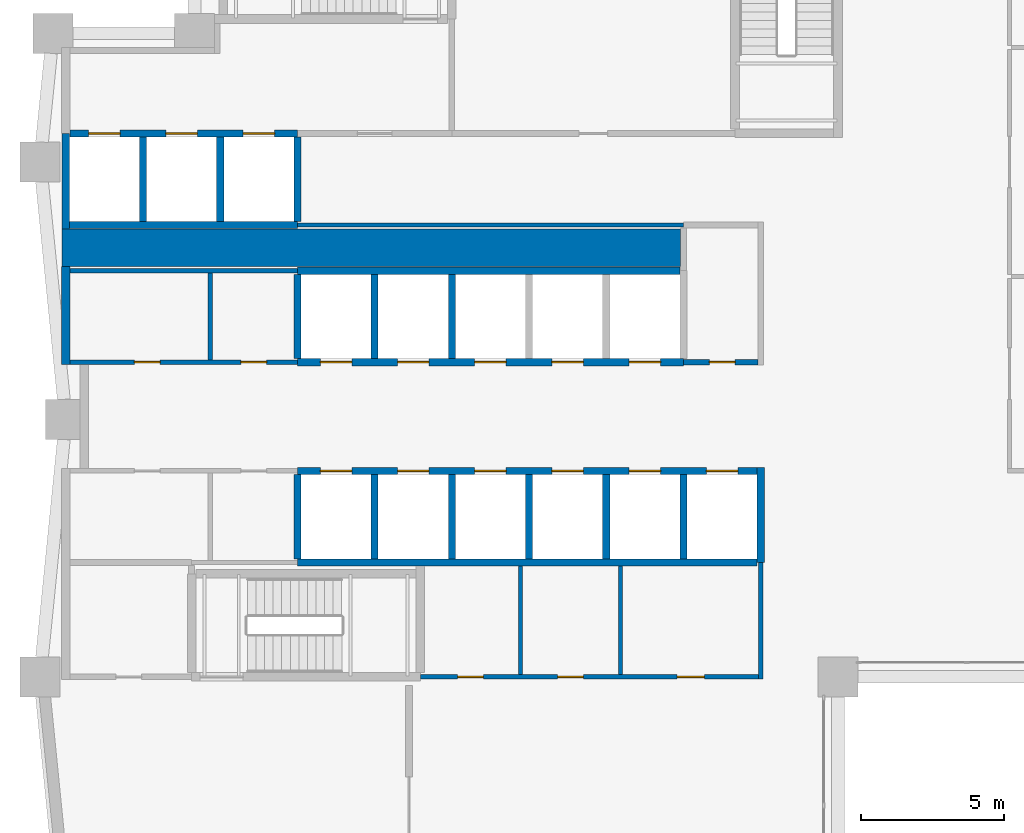
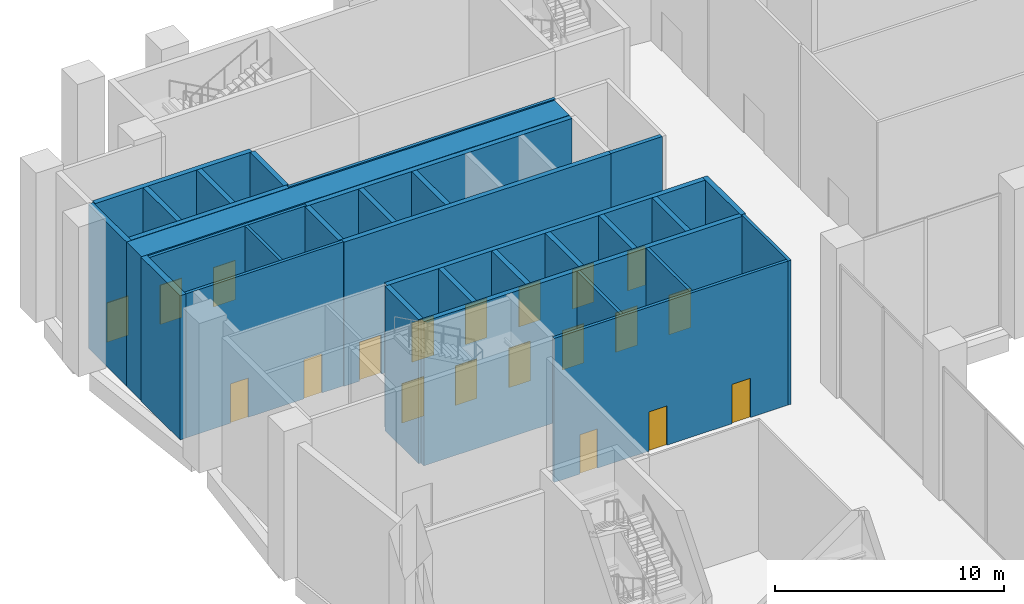
# One storey, part 11 of 19: 31 walls, 20 doors, 20 openings.
"""IFC4 building model written with IfcOpenShell, lengths in metres."""

from ifc_helpers import new_model, si_unit, direction, frame, frame_2d, origin, place, context, subcontext, project, spatial, rectangle, extrude, material, layer, layer_set, type_object, element, fill, save


model = new_model("IFC4")

# Units and contexts
model_context = context("Model", 3, precision=1e-05, world=origin(), true_north=direction((0.0, 1.0)))
body_context = subcontext(model_context, "Body", "Model", "MODEL_VIEW")
ifc_project = project(units=[si_unit("LENGTHUNIT", "METRE"), si_unit("AREAUNIT", "SQUARE_METRE"), si_unit("VOLUMEUNIT", "CUBIC_METRE"), si_unit("PLANEANGLEUNIT", "RADIAN"), si_unit("MASSUNIT", "GRAM", prefix="KILO")], contexts=[model_context])

# Site, building, storey
site_placement = place(None, origin())
site = spatial("IfcSite", under=ifc_project, at=site_placement, CompositionType="ELEMENT")
building_placement = place(site_placement, origin())
building = spatial("IfcBuilding", under=site, at=building_placement, Name="Brondeck Convention Tower", CompositionType="ELEMENT")
storey_placement = place(building_placement, frame((0.0, 0.0, 19.5)))
storey = spatial("IfcBuildingStorey", under=building, at=storey_placement, Name="L03", CompositionType="ELEMENT", Elevation=19.5)

# Wall, openings, doors
ifc_material_1 = material(Name="Concrete C80/95", Category="concrete")
ifc_layer_1 = layer(ifc_material_1, 0.14990234375)
ifc_layer_set_1 = layer_set([ifc_layer_1], Name="Core beam-seat wall 150 Concrete C80/95")
wall_type_1 = type_object("IfcWallType", Name="Core beam-seat wall 150 Concrete C80/95", PredefinedType="SHEAR", material=ifc_layer_set_1)
wall_1_placement = place(storey_placement, frame((12.39990234375, 36.0, 0.0), z_axis=(0.0, 0.0, 1.0), x_axis=(1.0, 0.0, 0.0)))
wall_1 = element("IfcWall", 1, at=wall_1_placement, inside=storey, type_object=wall_type_1, Name="L03 core wall", PredefinedType="SHEAR", context=body_context, shape_type="SweptSolid", body=[
    extrude(rectangle(XDim=11.8251953125, YDim=0.14990234375, at=frame_2d((5.91259765625, 0.0))), origin(), (0.0, 0.0, 1.0), 7.699951171875),
])
opening_1_placement = place(wall_1_placement, frame((1.300048828125, 0.0, 0.0)))
opening_1 = element("IfcOpeningElement", 2, at=opening_1_placement, cuts=wall_1, Name="Opening C05-03", PredefinedType="OPENING", context=body_context, shape_type="SweptSolid", body=[
    extrude(rectangle(XDim=0.89990234375, YDim=2.10009765625, at=frame_2d((0.449951171875, 1.050048828125))), frame((0.0, 0.0849609375, 0.0), z_axis=(0.0, -1.0, 0.0), x_axis=(1.0, 0.0, 0.0)), (0.0, 0.0, 1.0), 0.169921875),
])
opening_2_placement = place(wall_1_placement, frame((4.800048828125, 0.0, 0.0)))
opening_2 = element("IfcOpeningElement", 3, at=opening_2_placement, cuts=wall_1, Name="Opening C05-04", PredefinedType="OPENING", context=body_context, shape_type="SweptSolid", body=[
    extrude(rectangle(XDim=0.89990234375, YDim=2.10009765625, at=frame_2d((0.449951171875, 1.050048828125))), frame((0.0, 0.0849609375, 0.0), z_axis=(0.0, -1.0, 0.0), x_axis=(1.0, 0.0, 0.0)), (0.0, 0.0, 1.0), 0.169921875),
])
opening_3_placement = place(wall_1_placement, frame((8.97509765625, 0.0, 0.0)))
opening_3 = element("IfcOpeningElement", 4, at=opening_3_placement, cuts=wall_1, Name="Opening C05-05", PredefinedType="OPENING", context=body_context, shape_type="SweptSolid", body=[
    extrude(rectangle(XDim=0.949951171875, YDim=2.10009765625, at=frame_2d((0.47509765625, 1.050048828125))), frame((0.0, 0.0849609375, 0.0), z_axis=(0.0, -1.0, 0.0), x_axis=(1.0, 0.0, 0.0)), (0.0, 0.0, 1.0), 0.169921875),
])
ifc_material_2 = material(Name="Steel fire door", Category="steel")
door_type_1 = type_object("IfcDoorType", Name="Room door 900x2100 EI 60", OperationType="NOTDEFINED", PredefinedType="DOOR", material=ifc_material_2)
door_1_placement = place(opening_1_placement, origin())
door_1 = element("IfcDoor", 5, at=door_1_placement, inside=storey, type_object=door_type_1, Name="L03 Room door FR-1", OperationType="SINGLE_SWING_RIGHT", OverallHeight=2.10009765625, OverallWidth=0.89990234375, PredefinedType="DOOR", context=body_context, shape_type="SweptSolid", body=[
    extrude(rectangle(XDim=0.89990234375, YDim=2.10009765625, at=frame_2d((0.449951171875, 1.050048828125))), frame((0.0, 0.02490234375, 0.0), z_axis=(0.0, -1.0, 0.0), x_axis=(1.0, 0.0, 0.0)), (0.0, 0.0, 1.0), 0.050048828125),
])
fill(opening_1, door_1)
door_2_placement = place(opening_2_placement, origin())
door_2 = element("IfcDoor", 6, at=door_2_placement, inside=storey, type_object=door_type_1, Name="L03 Room door FR-2", OperationType="SINGLE_SWING_LEFT", OverallHeight=2.10009765625, OverallWidth=0.89990234375, PredefinedType="DOOR", context=body_context, shape_type="SweptSolid", body=[
    extrude(rectangle(XDim=0.89990234375, YDim=2.10009765625, at=frame_2d((0.449951171875, 1.050048828125))), frame((0.0, 0.02490234375, 0.0), z_axis=(0.0, -1.0, 0.0), x_axis=(1.0, 0.0, 0.0)), (0.0, 0.0, 1.0), 0.050048828125),
])
fill(opening_2, door_2)
door_type_2 = type_object("IfcDoorType", Name="Room door 950x2100 EI 60", OperationType="NOTDEFINED", PredefinedType="DOOR", material=ifc_material_2)
door_3_placement = place(opening_3_placement, origin())
door_3 = element("IfcDoor", 7, at=door_3_placement, inside=storey, type_object=door_type_2, Name="L03 Room door FR-3", OperationType="SINGLE_SWING_RIGHT", OverallHeight=2.10009765625, OverallWidth=0.949951171875, PredefinedType="DOOR", context=body_context, shape_type="SweptSolid", body=[
    extrude(rectangle(XDim=0.949951171875, YDim=2.10009765625, at=frame_2d((0.47509765625, 1.050048828125))), frame((0.0, 0.02490234375, 0.0), z_axis=(0.0, -1.0, 0.0), x_axis=(1.0, 0.0, 0.0)), (0.0, 0.0, 1.0), 0.050048828125),
])
fill(opening_3, door_3)

# Walls
wall_2_placement = place(storey_placement, frame((24.300048828125, 35.925048828125, 0.0), z_axis=(0.0, 0.0, 1.0), x_axis=(0.0, 1.0, 0.0)))
element("IfcWall", 8, at=wall_2_placement, inside=storey, type_object=wall_type_1, Name="L03 core wall", PredefinedType="SHEAR", context=body_context, shape_type="SweptSolid", body=[
    extrude(rectangle(XDim=4.074951171875, YDim=0.14990234375, at=frame_2d((2.03759765625, 0.0))), origin(), (0.0, 0.0, 1.0), 7.699951171875),
])
ifc_layer_2 = layer(ifc_material_1, 0.300048828125)
ifc_layer_set_2 = layer_set([ifc_layer_2], Name="Core outer wall 300 Concrete C80/95")
wall_type_2 = type_object("IfcWallType", Name="Core outer wall 300 Concrete C80/95", PredefinedType="SHEAR", material=ifc_layer_set_2)
wall_3_placement = place(storey_placement, frame((0.0, 46.925048828125, 0.0), z_axis=(0.0, 0.0, 1.0), x_axis=(0.0, 1.0, 0.0)))
element("IfcWall", 9, at=wall_3_placement, inside=storey, type_object=wall_type_2, Name="L03 core wall", PredefinedType="SHEAR", context=body_context, shape_type="SweptSolid", body=[
    extrude(rectangle(XDim=3.425048828125, YDim=0.300048828125, at=frame_2d((1.71240234375, 0.0))), origin(), (0.0, 0.0, 1.0), 7.699951171875),
])

# Wall, openings, doors
ifc_material_3 = material(Name="Fire-rated gypsum board partition")
ifc_layer_3 = layer(ifc_material_3, 0.14990234375)
ifc_layer_set_3 = layer_set([ifc_layer_3], Name="Core partition 150 EI 60")
wall_type_3 = type_object("IfcWallType", Name="Core partition 150 EI 60", PredefinedType="PARTITIONING", material=ifc_layer_set_3)
wall_4_placement = place(storey_placement, frame((0.14990234375, 47.0, 0.0), z_axis=(0.0, 0.0, 1.0), x_axis=(1.0, 0.0, 0.0)))
wall_4 = element("IfcWall", 10, at=wall_4_placement, inside=storey, type_object=wall_type_3, Name="L03 core wall", PredefinedType="PARTITIONING", context=body_context, shape_type="SweptSolid", body=[
    extrude(rectangle(XDim=7.9501953125, YDim=0.14990234375, at=frame_2d((3.97509765625, 0.0))), origin(), (0.0, 0.0, 1.0), 7.699951171875),
])
opening_4_placement = place(wall_4_placement, frame((2.25, 0.0, 0.0)))
opening_4 = element("IfcOpeningElement", 11, at=opening_4_placement, cuts=wall_4, Name="Opening C05-07", PredefinedType="OPENING", context=body_context, shape_type="SweptSolid", body=[
    extrude(rectangle(XDim=0.89990234375, YDim=2.10009765625, at=frame_2d((0.449951171875, 1.050048828125))), frame((0.0, 0.0849609375, 0.0), z_axis=(0.0, -1.0, 0.0), x_axis=(1.0, 0.0, 0.0)), (0.0, 0.0, 1.0), 0.169921875),
])
opening_5_placement = place(wall_4_placement, frame((5.97509765625, 0.0, 0.0)))
opening_5 = element("IfcOpeningElement", 12, at=opening_5_placement, cuts=wall_4, Name="Opening C05-08", PredefinedType="OPENING", context=body_context, shape_type="SweptSolid", body=[
    extrude(rectangle(XDim=0.89990234375, YDim=2.10009765625, at=frame_2d((0.449951171875, 1.050048828125))), frame((0.0, 0.0849609375, 0.0), z_axis=(0.0, -1.0, 0.0), x_axis=(1.0, 0.0, 0.0)), (0.0, 0.0, 1.0), 0.169921875),
])
door_4_placement = place(opening_4_placement, origin())
door_4 = element("IfcDoor", 13, at=door_4_placement, inside=storey, type_object=door_type_1, Name="L03 Room door FZ-N-0-1", OperationType="SINGLE_SWING_RIGHT", OverallHeight=2.10009765625, OverallWidth=0.89990234375, PredefinedType="DOOR", context=body_context, shape_type="SweptSolid", body=[
    extrude(rectangle(XDim=0.89990234375, YDim=2.10009765625, at=frame_2d((0.449951171875, 1.050048828125))), frame((0.0, 0.02490234375, 0.0), z_axis=(0.0, -1.0, 0.0), x_axis=(1.0, 0.0, 0.0)), (0.0, 0.0, 1.0), 0.050048828125),
])
fill(opening_4, door_4)
door_5_placement = place(opening_5_placement, origin())
door_5 = element("IfcDoor", 14, at=door_5_placement, inside=storey, type_object=door_type_1, Name="L03 Room door FZ-N-0-2", OperationType="SINGLE_SWING_LEFT", OverallHeight=2.10009765625, OverallWidth=0.89990234375, PredefinedType="DOOR", context=body_context, shape_type="SweptSolid", body=[
    extrude(rectangle(XDim=0.89990234375, YDim=2.10009765625, at=frame_2d((0.449951171875, 1.050048828125))), frame((0.0, 0.02490234375, 0.0), z_axis=(0.0, -1.0, 0.0), x_axis=(1.0, 0.0, 0.0)), (0.0, 0.0, 1.0), 0.050048828125),
])
fill(opening_5, door_5)

# Walls
wall_5_placement = place(storey_placement, frame((0.14990234375, 50.199951171875, 0.0), z_axis=(0.0, 0.0, 1.0), x_axis=(1.0, 0.0, 0.0)))
element("IfcWall", 15, at=wall_5_placement, inside=storey, type_object=wall_type_3, Name="L03 core wall", PredefinedType="PARTITIONING", context=body_context, shape_type="SweptSolid", body=[
    extrude(rectangle(XDim=7.9501953125, YDim=0.14990234375, at=frame_2d((3.97509765625, 0.0))), origin(), (0.0, 0.0, 1.0), 7.699951171875),
])
wall_6_placement = place(storey_placement, frame((8.10009765625, 51.800048828125, 0.0), z_axis=(0.0, 0.0, 1.0), x_axis=(1.0, 0.0, 0.0)))
element("IfcWall", 16, at=wall_6_placement, inside=storey, type_object=wall_type_3, Name="L03 core wall", PredefinedType="PARTITIONING", context=body_context, shape_type="SweptSolid", body=[
    extrude(rectangle(XDim=13.5, YDim=0.14990234375, at=frame_2d((6.75, 0.0))), origin(), (0.0, 0.0, 1.0), 7.699951171875),
])
wall_7_placement = place(storey_placement, frame((5.050048828125, 47.074951171875, 0.0), z_axis=(0.0, 0.0, 1.0), x_axis=(0.0, 1.0, 0.0)))
element("IfcWall", 17, at=wall_7_placement, inside=storey, type_object=wall_type_3, Name="L03 core wall", PredefinedType="PARTITIONING", context=body_context, shape_type="SweptSolid", body=[
    extrude(rectangle(XDim=3.050048828125, YDim=0.14990234375, at=frame_2d((1.52490234375, 0.0))), origin(), (0.0, 0.0, 1.0), 7.699951171875),
])
for number, where, z_axis, x_axis, name in (
    (18, (15.89990234375, 36.074951171875, 0.0), (0.0, 0.0, 1.0), (0.0, 1.0, 0.0), "L03 core wall"),
    (19, (19.39990234375, 36.074951171875, 0.0), (0.0, 0.0, 1.0), (0.0, 1.0, 0.0), "L03 core wall"),
):
    element("IfcWall", number, at=place(storey_placement, frame(where, z_axis=z_axis, x_axis=x_axis)), inside=storey, type_object=wall_type_3, Name=name, PredefinedType="PARTITIONING", context=body_context, shape_type="SweptSolid", body=[
        extrude(rectangle(XDim=3.800048828125, YDim=0.14990234375, at=frame_2d((1.89990234375, 0.0))), origin(), (0.0, 0.0, 1.0), 7.699951171875),
    ])
ifc_layer_4 = layer(ifc_material_1, 1.300048828125)
ifc_layer_set_4 = layer_set([ifc_layer_4], Name="Core shear wall 1300 Concrete C80/95")
wall_type_4 = type_object("IfcWallType", Name="Core shear wall 1300 Concrete C80/95", PredefinedType="SHEAR", material=ifc_layer_set_4)
wall_8_placement = place(storey_placement, frame((-0.125, 51.0, 0.0), z_axis=(0.0, 0.0, 1.0), x_axis=(1.0, 0.0, 0.0)))
element("IfcWall", 20, at=wall_8_placement, inside=storey, type_object=wall_type_4, Name="L03 core wall", PredefinedType="SHEAR", context=body_context, shape_type="SweptSolid", body=[
    extrude(rectangle(XDim=21.625, YDim=1.300048828125, at=frame_2d((10.8125, 0.0))), origin(), (0.0, 0.0, 1.0), 7.699951171875),
])
ifc_layer_5 = layer(ifc_material_1, 0.25)
ifc_layer_set_5 = layer_set([ifc_layer_5], Name="Lift shaft wall 250 Concrete C80/95")
wall_type_5 = type_object("IfcWallType", Name="Lift shaft wall 250 Concrete C80/95", PredefinedType="SHEAR", material=ifc_layer_set_5)
wall_9_placement = place(storey_placement, frame((8.10009765625, 40.0, 0.0), z_axis=(0.0, 0.0, 1.0), x_axis=(1.0, 0.0, 0.0)))
element("IfcWall", 21, at=wall_9_placement, inside=storey, type_object=wall_type_5, Name="L03 core wall", PredefinedType="SHEAR", context=body_context, shape_type="SweptSolid", body=[
    extrude(rectangle(XDim=16.074951171875, YDim=0.25, at=frame_2d((8.03759765625, 0.0))), origin(), (0.0, 0.0, 1.0), 7.699951171875),
])

# Wall, openings, doors
wall_10_placement = place(storey_placement, frame((8.10009765625, 43.199951171875, 0.0), z_axis=(0.0, 0.0, 1.0), x_axis=(1.0, 0.0, 0.0)))
wall_10 = element("IfcWall", 22, at=wall_10_placement, inside=storey, type_object=wall_type_5, Name="L03 core wall", PredefinedType="SHEAR", context=body_context, shape_type="SweptSolid", body=[
    extrude(rectangle(XDim=16.074951171875, YDim=0.25, at=frame_2d((8.03759765625, 0.0))), origin(), (0.0, 0.0, 1.0), 7.699951171875),
])
opening_6_placement = place(wall_10_placement, frame((14.300048828125, 0.0, 0.0)))
opening_6 = element("IfcOpeningElement", 23, at=opening_6_placement, cuts=wall_10, Name="Opening C05-24", PredefinedType="OPENING", context=body_context, shape_type="SweptSolid", body=[
    extrude(rectangle(XDim=1.10009765625, YDim=2.10009765625, at=frame_2d((0.550048828125, 1.050048828125))), frame((0.0, 0.135009765625, 0.0), z_axis=(0.0, -1.0, 0.0), x_axis=(1.0, 0.0, 0.0)), (0.0, 0.0, 1.0), 0.27001953125),
])
opening_7_placement = place(wall_10_placement, frame((0.800048828125, 0.0, 0.0)))
opening_7 = element("IfcOpeningElement", 24, at=opening_7_placement, cuts=wall_10, Name="Opening C05-25", PredefinedType="OPENING", context=body_context, shape_type="SweptSolid", body=[
    extrude(rectangle(XDim=1.10009765625, YDim=2.10009765625, at=frame_2d((0.550048828125, 1.050048828125))), frame((0.0, 0.135009765625, 0.0), z_axis=(0.0, -1.0, 0.0), x_axis=(1.0, 0.0, 0.0)), (0.0, 0.0, 1.0), 0.27001953125),
])
opening_8_placement = place(wall_10_placement, frame((3.5, 0.0, 0.0)))
opening_8 = element("IfcOpeningElement", 25, at=opening_8_placement, cuts=wall_10, Name="Opening C05-26", PredefinedType="OPENING", context=body_context, shape_type="SweptSolid", body=[
    extrude(rectangle(XDim=1.10009765625, YDim=2.10009765625, at=frame_2d((0.550048828125, 1.050048828125))), frame((0.0, 0.135009765625, 0.0), z_axis=(0.0, -1.0, 0.0), x_axis=(1.0, 0.0, 0.0)), (0.0, 0.0, 1.0), 0.27001953125),
])
opening_9_placement = place(wall_10_placement, frame((6.199951171875, 0.0, 0.0)))
opening_9 = element("IfcOpeningElement", 26, at=opening_9_placement, cuts=wall_10, Name="Opening C05-27", PredefinedType="OPENING", context=body_context, shape_type="SweptSolid", body=[
    extrude(rectangle(XDim=1.10009765625, YDim=2.10009765625, at=frame_2d((0.550048828125, 1.050048828125))), frame((0.0, 0.135009765625, 0.0), z_axis=(0.0, -1.0, 0.0), x_axis=(1.0, 0.0, 0.0)), (0.0, 0.0, 1.0), 0.27001953125),
])
opening_10_placement = place(wall_10_placement, frame((8.89990234375, 0.0, 0.0)))
opening_10 = element("IfcOpeningElement", 27, at=opening_10_placement, cuts=wall_10, Name="Opening C05-33", PredefinedType="OPENING", context=body_context, shape_type="SweptSolid", body=[
    extrude(rectangle(XDim=1.10009765625, YDim=2.10009765625, at=frame_2d((0.550048828125, 1.050048828125))), frame((0.0, 0.135009765625, 0.0), z_axis=(0.0, -1.0, 0.0), x_axis=(1.0, 0.0, 0.0)), (0.0, 0.0, 1.0), 0.27001953125),
])
opening_11_placement = place(wall_10_placement, frame((11.60009765625, 0.0, 0.0)))
opening_11 = element("IfcOpeningElement", 28, at=opening_11_placement, cuts=wall_10, Name="Opening C05-34", PredefinedType="OPENING", context=body_context, shape_type="SweptSolid", body=[
    extrude(rectangle(XDim=1.10009765625, YDim=2.10009765625, at=frame_2d((0.550048828125, 1.050048828125))), frame((0.0, 0.135009765625, 0.0), z_axis=(0.0, -1.0, 0.0), x_axis=(1.0, 0.0, 0.0)), (0.0, 0.0, 1.0), 0.27001953125),
])
ifc_material_4 = material(Name="Stainless steel lift door", Category="steel")
door_type_3 = type_object("IfcDoorType", Name="Lift landing door 1100x2100 EI 180", OperationType="DOUBLE_DOOR_SLIDING", PredefinedType="DOOR", material=ifc_material_4)
door_6_placement = place(opening_6_placement, origin())
door_6 = element("IfcDoor", 29, at=door_6_placement, inside=storey, type_object=door_type_3, Name="L03 Lift landing door HS1", OperationType="DOUBLE_DOOR_SLIDING", OverallHeight=2.10009765625, OverallWidth=1.10009765625, PredefinedType="DOOR", context=body_context, shape_type="SweptSolid", body=[
    extrude(rectangle(XDim=1.10009765625, YDim=2.10009765625, at=frame_2d((0.550048828125, 1.050048828125))), frame((0.0, 0.02490234375, 0.0), z_axis=(0.0, -1.0, 0.0), x_axis=(1.0, 0.0, 0.0)), (0.0, 0.0, 1.0), 0.050048828125),
])
fill(opening_6, door_6)
door_7_placement = place(opening_7_placement, origin())
door_7 = element("IfcDoor", 30, at=door_7_placement, inside=storey, type_object=door_type_3, Name="L03 Lift landing door LR1", OperationType="DOUBLE_DOOR_SLIDING", OverallHeight=2.10009765625, OverallWidth=1.10009765625, PredefinedType="DOOR", context=body_context, shape_type="SweptSolid", body=[
    extrude(rectangle(XDim=1.10009765625, YDim=2.10009765625, at=frame_2d((0.550048828125, 1.050048828125))), frame((0.0, 0.02490234375, 0.0), z_axis=(0.0, -1.0, 0.0), x_axis=(1.0, 0.0, 0.0)), (0.0, 0.0, 1.0), 0.050048828125),
])
fill(opening_7, door_7)
door_8_placement = place(opening_8_placement, origin())
door_8 = element("IfcDoor", 31, at=door_8_placement, inside=storey, type_object=door_type_3, Name="L03 Lift landing door LR2", OperationType="DOUBLE_DOOR_SLIDING", OverallHeight=2.10009765625, OverallWidth=1.10009765625, PredefinedType="DOOR", context=body_context, shape_type="SweptSolid", body=[
    extrude(rectangle(XDim=1.10009765625, YDim=2.10009765625, at=frame_2d((0.550048828125, 1.050048828125))), frame((0.0, 0.02490234375, 0.0), z_axis=(0.0, -1.0, 0.0), x_axis=(1.0, 0.0, 0.0)), (0.0, 0.0, 1.0), 0.050048828125),
])
fill(opening_8, door_8)
door_9_placement = place(opening_9_placement, origin())
door_9 = element("IfcDoor", 32, at=door_9_placement, inside=storey, type_object=door_type_3, Name="L03 Lift landing door LR3", OperationType="DOUBLE_DOOR_SLIDING", OverallHeight=2.10009765625, OverallWidth=1.10009765625, PredefinedType="DOOR", context=body_context, shape_type="SweptSolid", body=[
    extrude(rectangle(XDim=1.10009765625, YDim=2.10009765625, at=frame_2d((0.550048828125, 1.050048828125))), frame((0.0, 0.02490234375, 0.0), z_axis=(0.0, -1.0, 0.0), x_axis=(1.0, 0.0, 0.0)), (0.0, 0.0, 1.0), 0.050048828125),
])
fill(opening_9, door_9)
door_10_placement = place(opening_10_placement, origin())
door_10 = element("IfcDoor", 33, at=door_10_placement, inside=storey, type_object=door_type_3, Name="L03 Lift landing door SH1", OperationType="DOUBLE_DOOR_SLIDING", OverallHeight=2.10009765625, OverallWidth=1.10009765625, PredefinedType="DOOR", context=body_context, shape_type="SweptSolid", body=[
    extrude(rectangle(XDim=1.10009765625, YDim=2.10009765625, at=frame_2d((0.550048828125, 1.050048828125))), frame((0.0, 0.02490234375, 0.0), z_axis=(0.0, -1.0, 0.0), x_axis=(1.0, 0.0, 0.0)), (0.0, 0.0, 1.0), 0.050048828125),
])
fill(opening_10, door_10)
door_11_placement = place(opening_11_placement, origin())
door_11 = element("IfcDoor", 34, at=door_11_placement, inside=storey, type_object=door_type_3, Name="L03 Lift landing door SH2", OperationType="DOUBLE_DOOR_SLIDING", OverallHeight=2.10009765625, OverallWidth=1.10009765625, PredefinedType="DOOR", context=body_context, shape_type="SweptSolid", body=[
    extrude(rectangle(XDim=1.10009765625, YDim=2.10009765625, at=frame_2d((0.550048828125, 1.050048828125))), frame((0.0, 0.02490234375, 0.0), z_axis=(0.0, -1.0, 0.0), x_axis=(1.0, 0.0, 0.0)), (0.0, 0.0, 1.0), 0.050048828125),
])
fill(opening_11, door_11)

wall_11_placement = place(storey_placement, frame((8.10009765625, 47.0, 0.0), z_axis=(0.0, 0.0, 1.0), x_axis=(1.0, 0.0, 0.0)))
wall_11 = element("IfcWall", 35, at=wall_11_placement, inside=storey, type_object=wall_type_5, Name="L03 core wall", PredefinedType="SHEAR", context=body_context, shape_type="SweptSolid", body=[
    extrude(rectangle(XDim=13.5, YDim=0.25, at=frame_2d((6.75, 0.0))), origin(), (0.0, 0.0, 1.0), 7.699951171875),
])
opening_12_placement = place(wall_11_placement, frame((0.800048828125, 0.0, 0.0)))
opening_12 = element("IfcOpeningElement", 36, at=opening_12_placement, cuts=wall_11, Name="Opening C05-28", PredefinedType="OPENING", context=body_context, shape_type="SweptSolid", body=[
    extrude(rectangle(XDim=1.10009765625, YDim=2.10009765625, at=frame_2d((0.550048828125, 1.050048828125))), frame((0.0, 0.135009765625, 0.0), z_axis=(0.0, -1.0, 0.0), x_axis=(1.0, 0.0, 0.0)), (0.0, 0.0, 1.0), 0.27001953125),
])
opening_13_placement = place(wall_11_placement, frame((3.5, 0.0, 0.0)))
opening_13 = element("IfcOpeningElement", 37, at=opening_13_placement, cuts=wall_11, Name="Opening C05-29", PredefinedType="OPENING", context=body_context, shape_type="SweptSolid", body=[
    extrude(rectangle(XDim=1.10009765625, YDim=2.10009765625, at=frame_2d((0.550048828125, 1.050048828125))), frame((0.0, 0.135009765625, 0.0), z_axis=(0.0, -1.0, 0.0), x_axis=(1.0, 0.0, 0.0)), (0.0, 0.0, 1.0), 0.27001953125),
])
opening_14_placement = place(wall_11_placement, frame((6.199951171875, 0.0, 0.0)))
opening_14 = element("IfcOpeningElement", 38, at=opening_14_placement, cuts=wall_11, Name="Opening C05-30", PredefinedType="OPENING", context=body_context, shape_type="SweptSolid", body=[
    extrude(rectangle(XDim=1.10009765625, YDim=2.10009765625, at=frame_2d((0.550048828125, 1.050048828125))), frame((0.0, 0.135009765625, 0.0), z_axis=(0.0, -1.0, 0.0), x_axis=(1.0, 0.0, 0.0)), (0.0, 0.0, 1.0), 0.27001953125),
])
opening_15_placement = place(wall_11_placement, frame((8.89990234375, 0.0, 0.0)))
opening_15 = element("IfcOpeningElement", 39, at=opening_15_placement, cuts=wall_11, Name="Opening C05-31", PredefinedType="OPENING", context=body_context, shape_type="SweptSolid", body=[
    extrude(rectangle(XDim=1.10009765625, YDim=2.10009765625, at=frame_2d((0.550048828125, 1.050048828125))), frame((0.0, 0.135009765625, 0.0), z_axis=(0.0, -1.0, 0.0), x_axis=(1.0, 0.0, 0.0)), (0.0, 0.0, 1.0), 0.27001953125),
])
opening_16_placement = place(wall_11_placement, frame((11.60009765625, 0.0, 0.0)))
opening_16 = element("IfcOpeningElement", 40, at=opening_16_placement, cuts=wall_11, Name="Opening C05-32", PredefinedType="OPENING", context=body_context, shape_type="SweptSolid", body=[
    extrude(rectangle(XDim=1.10009765625, YDim=2.10009765625, at=frame_2d((0.550048828125, 1.050048828125))), frame((0.0, 0.135009765625, 0.0), z_axis=(0.0, -1.0, 0.0), x_axis=(1.0, 0.0, 0.0)), (0.0, 0.0, 1.0), 0.27001953125),
])
door_12_placement = place(opening_12_placement, origin())
door_12 = element("IfcDoor", 41, at=door_12_placement, inside=storey, type_object=door_type_3, Name="L03 Lift landing door LR4", OperationType="DOUBLE_DOOR_SLIDING", OverallHeight=2.10009765625, OverallWidth=1.10009765625, PredefinedType="DOOR", context=body_context, shape_type="SweptSolid", body=[
    extrude(rectangle(XDim=1.10009765625, YDim=2.10009765625, at=frame_2d((0.550048828125, 1.050048828125))), frame((0.0, 0.02490234375, 0.0), z_axis=(0.0, -1.0, 0.0), x_axis=(1.0, 0.0, 0.0)), (0.0, 0.0, 1.0), 0.050048828125),
])
fill(opening_12, door_12)
door_13_placement = place(opening_13_placement, origin())
door_13 = element("IfcDoor", 42, at=door_13_placement, inside=storey, type_object=door_type_3, Name="L03 Lift landing door LR5", OperationType="DOUBLE_DOOR_SLIDING", OverallHeight=2.10009765625, OverallWidth=1.10009765625, PredefinedType="DOOR", context=body_context, shape_type="SweptSolid", body=[
    extrude(rectangle(XDim=1.10009765625, YDim=2.10009765625, at=frame_2d((0.550048828125, 1.050048828125))), frame((0.0, 0.02490234375, 0.0), z_axis=(0.0, -1.0, 0.0), x_axis=(1.0, 0.0, 0.0)), (0.0, 0.0, 1.0), 0.050048828125),
])
fill(opening_13, door_13)
door_14_placement = place(opening_14_placement, origin())
door_14 = element("IfcDoor", 43, at=door_14_placement, inside=storey, type_object=door_type_3, Name="L03 Lift landing door LR6", OperationType="DOUBLE_DOOR_SLIDING", OverallHeight=2.10009765625, OverallWidth=1.10009765625, PredefinedType="DOOR", context=body_context, shape_type="SweptSolid", body=[
    extrude(rectangle(XDim=1.10009765625, YDim=2.10009765625, at=frame_2d((0.550048828125, 1.050048828125))), frame((0.0, 0.02490234375, 0.0), z_axis=(0.0, -1.0, 0.0), x_axis=(1.0, 0.0, 0.0)), (0.0, 0.0, 1.0), 0.050048828125),
])
fill(opening_14, door_14)
door_15_placement = place(opening_15_placement, origin())
door_15 = element("IfcDoor", 44, at=door_15_placement, inside=storey, type_object=door_type_3, Name="L03 Lift landing door PL1", OperationType="DOUBLE_DOOR_SLIDING", OverallHeight=2.10009765625, OverallWidth=1.10009765625, PredefinedType="DOOR", context=body_context, shape_type="SweptSolid", body=[
    extrude(rectangle(XDim=1.10009765625, YDim=2.10009765625, at=frame_2d((0.550048828125, 1.050048828125))), frame((0.0, 0.02490234375, 0.0), z_axis=(0.0, -1.0, 0.0), x_axis=(1.0, 0.0, 0.0)), (0.0, 0.0, 1.0), 0.050048828125),
])
fill(opening_15, door_15)
door_16_placement = place(opening_16_placement, origin())
door_16 = element("IfcDoor", 45, at=door_16_placement, inside=storey, type_object=door_type_3, Name="L03 Lift landing door PL2", OperationType="DOUBLE_DOOR_SLIDING", OverallHeight=2.10009765625, OverallWidth=1.10009765625, PredefinedType="DOOR", context=body_context, shape_type="SweptSolid", body=[
    extrude(rectangle(XDim=1.10009765625, YDim=2.10009765625, at=frame_2d((0.550048828125, 1.050048828125))), frame((0.0, 0.02490234375, 0.0), z_axis=(0.0, -1.0, 0.0), x_axis=(1.0, 0.0, 0.0)), (0.0, 0.0, 1.0), 0.050048828125),
])
fill(opening_16, door_16)

# Walls
wall_12_placement = place(storey_placement, frame((8.10009765625, 50.199951171875, 0.0), z_axis=(0.0, 0.0, 1.0), x_axis=(1.0, 0.0, 0.0)))
element("IfcWall", 46, at=wall_12_placement, inside=storey, type_object=wall_type_5, Name="L03 core wall", PredefinedType="SHEAR", context=body_context, shape_type="SweptSolid", body=[
    extrude(rectangle(XDim=13.375, YDim=0.25, at=frame_2d((6.6875, 0.0))), origin(), (0.0, 0.0, 1.0), 7.699951171875),
])
wall_13_placement = place(storey_placement, frame((0.125, 51.800048828125, 0.0), z_axis=(0.0, 0.0, 1.0), x_axis=(1.0, 0.0, 0.0)))
element("IfcWall", 47, at=wall_13_placement, inside=storey, type_object=wall_type_5, Name="L03 core wall", PredefinedType="SHEAR", context=body_context, shape_type="SweptSolid", body=[
    extrude(rectangle(XDim=7.97509765625, YDim=0.25, at=frame_2d((3.987548828125, 0.0))), origin(), (0.0, 0.0, 1.0), 7.699951171875),
])

# Wall, openings, doors
wall_14_placement = place(storey_placement, frame((0.14990234375, 55.0, 0.0), z_axis=(0.0, 0.0, 1.0), x_axis=(1.0, 0.0, 0.0)))
wall_14 = element("IfcWall", 48, at=wall_14_placement, inside=storey, type_object=wall_type_5, Name="L03 core wall", PredefinedType="SHEAR", context=body_context, shape_type="SweptSolid", body=[
    extrude(rectangle(XDim=7.9501953125, YDim=0.25, at=frame_2d((3.97509765625, 0.0))), origin(), (0.0, 0.0, 1.0), 7.699951171875),
])
opening_17_placement = place(wall_14_placement, frame((0.64990234375, 0.0, 0.0)))
opening_17 = element("IfcOpeningElement", 49, at=opening_17_placement, cuts=wall_14, Name="Opening C05-21", PredefinedType="OPENING", context=body_context, shape_type="SweptSolid", body=[
    extrude(rectangle(XDim=1.10009765625, YDim=2.10009765625, at=frame_2d((0.550048828125, 1.050048828125))), frame((0.0, 0.135009765625, 0.0), z_axis=(0.0, -1.0, 0.0), x_axis=(1.0, 0.0, 0.0)), (0.0, 0.0, 1.0), 0.27001953125),
])
opening_18_placement = place(wall_14_placement, frame((3.35009765625, 0.0, 0.0)))
opening_18 = element("IfcOpeningElement", 50, at=opening_18_placement, cuts=wall_14, Name="Opening C05-22", PredefinedType="OPENING", context=body_context, shape_type="SweptSolid", body=[
    extrude(rectangle(XDim=1.10009765625, YDim=2.10009765625, at=frame_2d((0.550048828125, 1.050048828125))), frame((0.0, 0.135009765625, 0.0), z_axis=(0.0, -1.0, 0.0), x_axis=(1.0, 0.0, 0.0)), (0.0, 0.0, 1.0), 0.27001953125),
])
opening_19_placement = place(wall_14_placement, frame((6.050048828125, 0.0, 0.0)))
opening_19 = element("IfcOpeningElement", 51, at=opening_19_placement, cuts=wall_14, Name="Opening C05-23", PredefinedType="OPENING", context=body_context, shape_type="SweptSolid", body=[
    extrude(rectangle(XDim=1.10009765625, YDim=2.10009765625, at=frame_2d((0.550048828125, 1.050048828125))), frame((0.0, 0.135009765625, 0.0), z_axis=(0.0, -1.0, 0.0), x_axis=(1.0, 0.0, 0.0)), (0.0, 0.0, 1.0), 0.27001953125),
])
door_17_placement = place(opening_17_placement, origin())
door_17 = element("IfcDoor", 52, at=door_17_placement, inside=storey, type_object=door_type_3, Name="L03 Lift landing door FF1", OperationType="DOUBLE_DOOR_SLIDING", OverallHeight=2.10009765625, OverallWidth=1.10009765625, PredefinedType="DOOR", context=body_context, shape_type="SweptSolid", body=[
    extrude(rectangle(XDim=1.10009765625, YDim=2.10009765625, at=frame_2d((0.550048828125, 1.050048828125))), frame((0.0, 0.02490234375, 0.0), z_axis=(0.0, -1.0, 0.0), x_axis=(1.0, 0.0, 0.0)), (0.0, 0.0, 1.0), 0.050048828125),
])
fill(opening_17, door_17)
door_18_placement = place(opening_18_placement, origin())
door_18 = element("IfcDoor", 53, at=door_18_placement, inside=storey, type_object=door_type_3, Name="L03 Lift landing door FF2", OperationType="DOUBLE_DOOR_SLIDING", OverallHeight=2.10009765625, OverallWidth=1.10009765625, PredefinedType="DOOR", context=body_context, shape_type="SweptSolid", body=[
    extrude(rectangle(XDim=1.10009765625, YDim=2.10009765625, at=frame_2d((0.550048828125, 1.050048828125))), frame((0.0, 0.02490234375, 0.0), z_axis=(0.0, -1.0, 0.0), x_axis=(1.0, 0.0, 0.0)), (0.0, 0.0, 1.0), 0.050048828125),
])
fill(opening_18, door_18)
door_19_placement = place(opening_19_placement, origin())
door_19 = element("IfcDoor", 54, at=door_19_placement, inside=storey, type_object=door_type_3, Name="L03 Lift landing door FF3", OperationType="DOUBLE_DOOR_SLIDING", OverallHeight=2.10009765625, OverallWidth=1.10009765625, PredefinedType="DOOR", context=body_context, shape_type="SweptSolid", body=[
    extrude(rectangle(XDim=1.10009765625, YDim=2.10009765625, at=frame_2d((0.550048828125, 1.050048828125))), frame((0.0, 0.02490234375, 0.0), z_axis=(0.0, -1.0, 0.0), x_axis=(1.0, 0.0, 0.0)), (0.0, 0.0, 1.0), 0.050048828125),
])
fill(opening_19, door_19)

# Walls
wall_15_placement = place(storey_placement, frame((0.0, 51.64990234375, 0.0), z_axis=(0.0, 0.0, 1.0), x_axis=(0.0, 1.0, 0.0)))
element("IfcWall", 55, at=wall_15_placement, inside=storey, type_object=wall_type_5, Name="L03 core wall", PredefinedType="SHEAR", context=body_context, shape_type="SweptSolid", body=[
    extrude(rectangle(XDim=3.35009765625, YDim=0.25, at=frame_2d((1.675048828125, 0.0))), origin(), (0.0, 0.0, 1.0), 7.699951171875),
])
for number, where, z_axis, x_axis, name in (
    (56, (2.699951171875, 51.925048828125, 0.0), (0.0, 0.0, 1.0), (0.0, 1.0, 0.0), "L03 core wall"),
    (57, (5.39990234375, 51.925048828125, 0.0), (0.0, 0.0, 1.0), (0.0, 1.0, 0.0), "L03 core wall"),
    (58, (8.10009765625, 40.125, 0.0), (0.0, 0.0, 1.0), (0.0, 1.0, 0.0), "L03 core wall"),
    (59, (8.10009765625, 47.125, 0.0), (0.0, 0.0, 1.0), (0.0, 1.0, 0.0), "L03 core wall"),
    (60, (8.10009765625, 51.925048828125, 0.0), (0.0, 0.0, 1.0), (0.0, 1.0, 0.0), "L03 core wall"),
    (61, (10.800048828125, 40.125, 0.0), (0.0, 0.0, 1.0), (0.0, 1.0, 0.0), "L03 core wall"),
    (62, (10.800048828125, 47.125, 0.0), (0.0, 0.0, 1.0), (0.0, 1.0, 0.0), "L03 core wall"),
    (63, (13.5, 40.125, 0.0), (0.0, 0.0, 1.0), (0.0, 1.0, 0.0), "L03 core wall"),
    (64, (13.5, 47.125, 0.0), (0.0, 0.0, 1.0), (0.0, 1.0, 0.0), "L03 core wall"),
    (65, (16.199951171875, 40.125, 0.0), (0.0, 0.0, 1.0), (0.0, 1.0, 0.0), "L03 core wall"),
    (66, (18.89990234375, 40.125, 0.0), (0.0, 0.0, 1.0), (0.0, 1.0, 0.0), "L03 core wall"),
    (67, (21.60009765625, 40.125, 0.0), (0.0, 0.0, 1.0), (0.0, 1.0, 0.0), "L03 core wall"),
):
    element("IfcWall", number, at=place(storey_placement, frame(where, z_axis=z_axis, x_axis=x_axis)), inside=storey, type_object=wall_type_5, Name=name, PredefinedType="SHEAR", context=body_context, shape_type="SweptSolid", body=[
        extrude(rectangle(XDim=2.949951171875, YDim=0.25, at=frame_2d((1.47509765625, 0.0))), origin(), (0.0, 0.0, 1.0), 7.699951171875),
    ])
wall_16_placement = place(storey_placement, frame((24.300048828125, 40.0, 0.0), z_axis=(0.0, 0.0, 1.0), x_axis=(0.0, 1.0, 0.0)))
element("IfcWall", 68, at=wall_16_placement, inside=storey, type_object=wall_type_5, Name="L03 core wall", PredefinedType="SHEAR", context=body_context, shape_type="SweptSolid", body=[
    extrude(rectangle(XDim=3.324951171875, YDim=0.25, at=frame_2d((1.66259765625, 0.0))), origin(), (0.0, 0.0, 1.0), 7.699951171875),
])

# Wall, opening, door
ifc_layer_6 = layer(ifc_material_3, 0.199951171875)
ifc_layer_set_6 = layer_set([ifc_layer_6], Name="Riser wall 200 EI 120")
wall_type_6 = type_object("IfcWallType", Name="Riser wall 200 EI 120", PredefinedType="PARTITIONING", material=ifc_layer_set_6)
wall_17_placement = place(storey_placement, frame((21.60009765625, 47.0, 0.0), z_axis=(0.0, 0.0, 1.0), x_axis=(1.0, 0.0, 0.0)))
wall_17 = element("IfcWall", 69, at=wall_17_placement, inside=storey, type_object=wall_type_6, Name="L03 core wall", PredefinedType="PARTITIONING", context=body_context, shape_type="SweptSolid", body=[
    extrude(rectangle(XDim=2.599853515625, YDim=0.199951171875, at=frame_2d((1.2998046875, 0.0))), origin(), (0.0, 0.0, 1.0), 7.699951171875),
])
opening_20_placement = place(wall_17_placement, frame((0.89990234375, 0.0, 0.0)))
opening_20 = element("IfcOpeningElement", 70, at=opening_20_placement, cuts=wall_17, Name="Opening C05-02", PredefinedType="OPENING", context=body_context, shape_type="SweptSolid", body=[
    extrude(rectangle(XDim=0.89990234375, YDim=2.10009765625, at=frame_2d((0.449951171875, 1.050048828125))), frame((0.0, 0.10986328125, 0.0), z_axis=(0.0, -1.0, 0.0), x_axis=(1.0, 0.0, 0.0)), (0.0, 0.0, 1.0), 0.219970703125),
])
door_type_4 = type_object("IfcDoorType", Name="Riser door 900x2100 EI 120", OperationType="NOTDEFINED", PredefinedType="DOOR", material=ifc_material_2)
door_20_placement = place(opening_20_placement, origin())
door_20 = element("IfcDoor", 71, at=door_20_placement, inside=storey, type_object=door_type_4, Name="L03 Riser door EN-1", OperationType="SINGLE_SWING_LEFT", OverallHeight=2.10009765625, OverallWidth=0.89990234375, PredefinedType="DOOR", context=body_context, shape_type="SweptSolid", body=[
    extrude(rectangle(XDim=0.89990234375, YDim=2.10009765625, at=frame_2d((0.449951171875, 1.050048828125))), frame((0.0, 0.02490234375, 0.0), z_axis=(0.0, -1.0, 0.0), x_axis=(1.0, 0.0, 0.0)), (0.0, 0.0, 1.0), 0.050048828125),
])
fill(opening_20, door_20)

save(model, "model.ifc")
